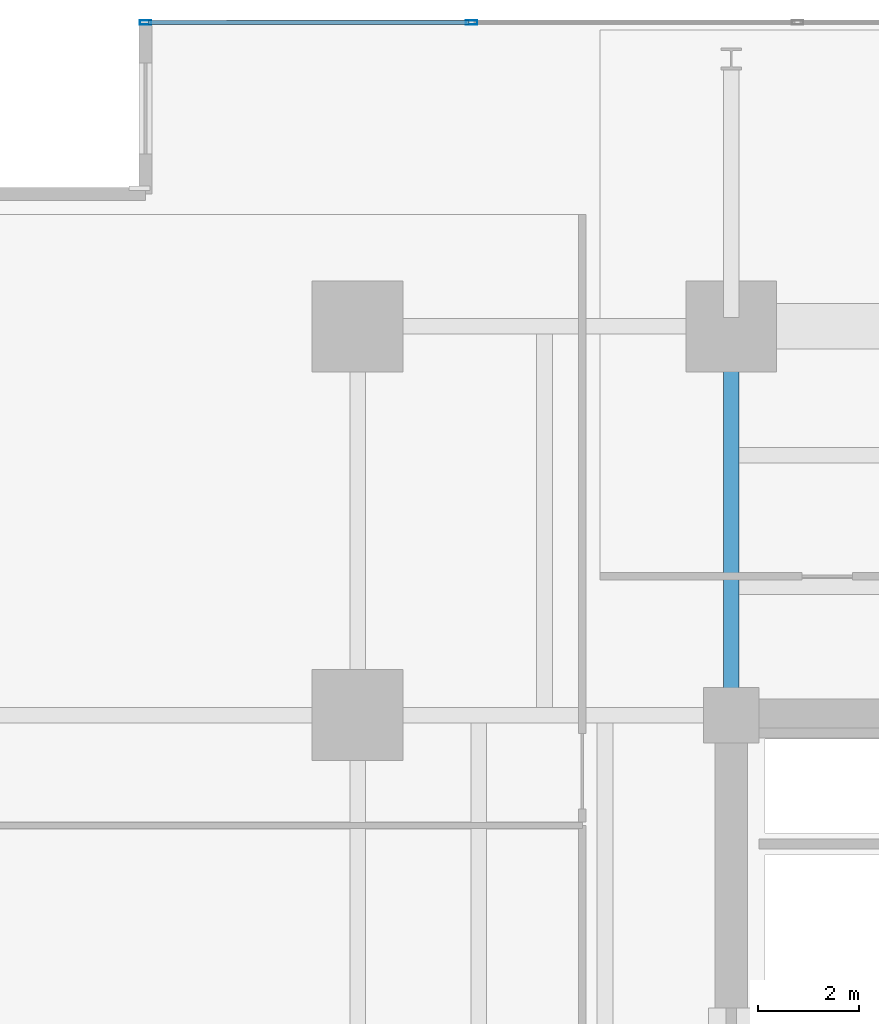
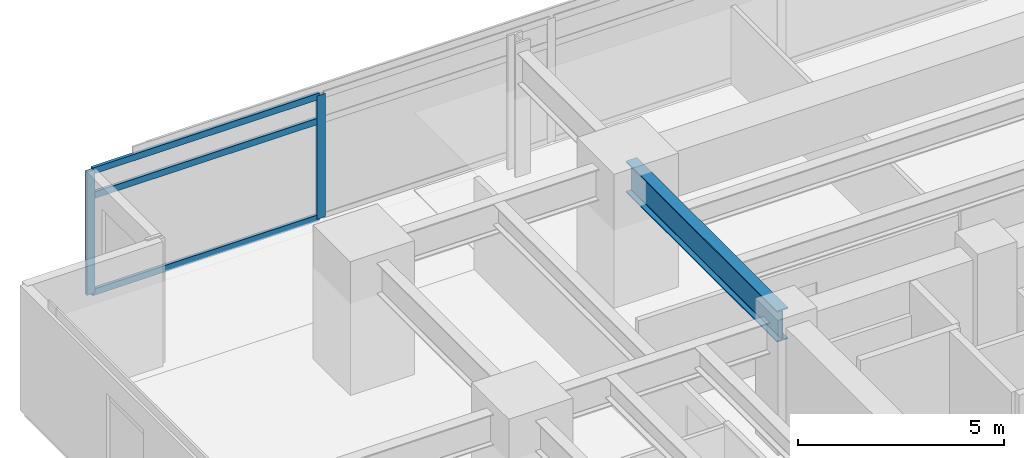
# One storey, part 8 of 23: 5 members, 1 beam, 1 element without a shape of its own.
"""IFC4 building model written with IfcOpenShell, lengths in metres."""

from ifc_helpers import new_model, si_unit, direction, frame, origin, origin_2d, place, context, subcontext, project, spatial, hollow_rectangle, i_section, extrude, material, material_profile, profile_set, type_object, element, aggregate, save


model = new_model("IFC4")

# Units and contexts
model_context = context("Model", 3, precision=1e-05, world=origin(), true_north=direction((0.0, 1.0)))
body_context = subcontext(model_context, "Body", "Model", "MODEL_VIEW")
ifc_project = project(units=[si_unit("LENGTHUNIT", "METRE"), si_unit("AREAUNIT", "SQUARE_METRE"), si_unit("VOLUMEUNIT", "CUBIC_METRE"), si_unit("PLANEANGLEUNIT", "RADIAN"), si_unit("MASSUNIT", "GRAM", prefix="KILO")], contexts=[model_context])

# Site, building, storey
site_placement = place(None, origin())
site = spatial("IfcSite", under=ifc_project, at=site_placement, CompositionType="ELEMENT")
building_placement = place(site_placement, origin())
building = spatial("IfcBuilding", under=site, at=building_placement, Name="Kovane Verandah Tower", CompositionType="ELEMENT")
storey_placement = place(building_placement, frame((0.0, 0.0, 103.60009765625)))
storey = spatial("IfcBuildingStorey", under=building, at=storey_placement, Name="L24", CompositionType="ELEMENT", Elevation=103.60009765625)

# Beam
ifc_material_1 = material(Name="Steel S460", Category="steel")
ifc_material_profile_1 = material_profile(ifc_material_1, i_section(OverallWidth=0.3076171875, OverallDepth=0.926513671875, WebThickness=0.01953125, FlangeThickness=0.031982421875, FilletRadius=0.01904296875, at=origin_2d()), Name="UB914x305x289")
ifc_profile_set_1 = profile_set([ifc_material_profile_1], Name="Steel S460")
beam_type = type_object("IfcBeamType", Name="BM-UB914x289", PredefinedType="BEAM", material=ifc_profile_set_1)
beam_placement = place(storey_placement, frame((29.0, 36.679931640625, 3.236572265625), z_axis=(0.0, 1.0, 0.0), x_axis=(-1.0, 0.0, 0.0)))
element("IfcBeam", 1, at=beam_placement, inside=storey, type_object=beam_type, Name="L24 Primary Tower Girder G-N1", PredefinedType="BEAM", context=body_context, shape_type="SweptSolid", body=[
    extrude(i_section(OverallWidth=0.3076171875, OverallDepth=0.926513671875, WebThickness=0.01953125, FlangeThickness=0.031982421875, FilletRadius=0.01904296875, at=origin_2d()), origin(), (0.0, 0.0, 1.0), 7.340087890625),
])

# Curtain wall, members
ifc_material_2 = material(Name="Champagne Anodised Aluminium Frame with Low-E Clear Laminated Glass", Category="aluminium")
curtain_wall_type = type_object("IfcCurtainWallType", Name="CW-SYS-02-LOW", PredefinedType="NOTDEFINED", material=ifc_material_2)
curtain_wall_placement = place(storey_placement, origin())
curtain_wall = element("IfcCurtainWall", 2, at=curtain_wall_placement, inside=storey, type_object=curtain_wall_type, Name="L24 N Unitised Curtain Wall", PredefinedType="NOTDEFINED")
ifc_material_3 = material(Name="Champagne Anodised Aluminium 6063-T6", Category="aluminium")
ifc_material_profile_2 = material_profile(ifc_material_3, hollow_rectangle(XDim=0.0849609375, YDim=0.22998046875, WallThickness=0.00390625, at=origin_2d()), Name="AL85x230x4")
ifc_profile_set_2 = profile_set([ifc_material_profile_2], Name="Champagne Anodised Aluminium 6063-T6")
member_type_1 = type_object("IfcMemberType", Name="CW-MUL-85x230", PredefinedType="MULLION", material=ifc_profile_set_2)
member_1_placement = place(storey_placement, frame((23.858154296875, 50.218994140625, 0.02001953125), z_axis=(0.0, 0.0, 1.0), x_axis=(0.0, 1.0, 0.0)))
member_1 = element("IfcMember", 3, at=member_1_placement, type_object=member_type_1, Name="L24 N Unitised Curtain Wall Mullion 7", PredefinedType="MULLION", context=body_context, shape_type="SweptSolid", body=[
    extrude(hollow_rectangle(XDim=0.0849609375, YDim=0.22998046875, WallThickness=0.00390625, at=origin_2d()), origin(), (0.0, 0.0, 1.0), 3.659912109375),
])
member_2_placement = place(storey_placement, frame((17.4013671875, 50.218994140625, 0.02001953125), z_axis=(0.0, 0.0, 1.0), x_axis=(0.0, 1.0, 0.0)))
member_2 = element("IfcMember", 4, at=member_2_placement, type_object=member_type_1, Name="L24 N Unitised Curtain Wall Mullion 8", PredefinedType="MULLION", context=body_context, shape_type="SweptSolid", body=[
    extrude(hollow_rectangle(XDim=0.0849609375, YDim=0.22998046875, WallThickness=0.00390625, at=origin_2d()), origin(), (0.0, 0.0, 1.0), 3.659912109375),
])
ifc_material_profile_3 = material_profile(ifc_material_3, hollow_rectangle(XDim=0.0849609375, YDim=0.18994140625, WallThickness=0.00390625, at=origin_2d()), Name="AL85x190x4")
ifc_profile_set_3 = profile_set([ifc_material_profile_3], Name="Champagne Anodised Aluminium 6063-T6")
member_type_2 = type_object("IfcMemberType", Name="CW-TRN-85x190", PredefinedType="USERDEFINED", material=ifc_profile_set_3)
member_3_placement = place(storey_placement, frame((23.80810546875, 50.218994140625, 0.0498046875), z_axis=(-1.0, 0.0, 0.0), x_axis=(0.0, -1.0, 0.0)))
member_3 = element("IfcMember", 5, at=member_3_placement, type_object=member_type_2, Name="L24 N Unitised Curtain Wall Transom TB Bay 7", ObjectType="TRANSOM", PredefinedType="USERDEFINED", context=body_context, shape_type="SweptSolid", body=[
    extrude(hollow_rectangle(XDim=0.0849609375, YDim=0.18994140625, WallThickness=0.00390625, at=origin_2d()), origin(), (0.0, 0.0, 1.0), 6.356689453125),
])
member_4_placement = place(storey_placement, frame((23.80810546875, 50.218994140625, 2.919921875), z_axis=(-1.0, 0.0, 0.0), x_axis=(0.0, -1.0, 0.0)))
member_4 = element("IfcMember", 6, at=member_4_placement, type_object=member_type_2, Name="L24 N Unitised Curtain Wall Transom TM Bay 7", ObjectType="TRANSOM", PredefinedType="USERDEFINED", context=body_context, shape_type="SweptSolid", body=[
    extrude(hollow_rectangle(XDim=0.0849609375, YDim=0.18994140625, WallThickness=0.00390625, at=origin_2d()), origin(), (0.0, 0.0, 1.0), 6.356689453125),
])
member_5_placement = place(storey_placement, frame((23.80810546875, 50.218994140625, 3.64990234375), z_axis=(-1.0, 0.0, 0.0), x_axis=(0.0, -1.0, 0.0)))
member_5 = element("IfcMember", 7, at=member_5_placement, type_object=member_type_2, Name="L24 N Unitised Curtain Wall Transom TT Bay 7", ObjectType="TRANSOM", PredefinedType="USERDEFINED", context=body_context, shape_type="SweptSolid", body=[
    extrude(hollow_rectangle(XDim=0.0849609375, YDim=0.18994140625, WallThickness=0.00390625, at=origin_2d()), origin(), (0.0, 0.0, 1.0), 6.356689453125),
])
aggregate(curtain_wall, [member_1, member_2, member_3, member_4, member_5])

save(model, "model.ifc")
